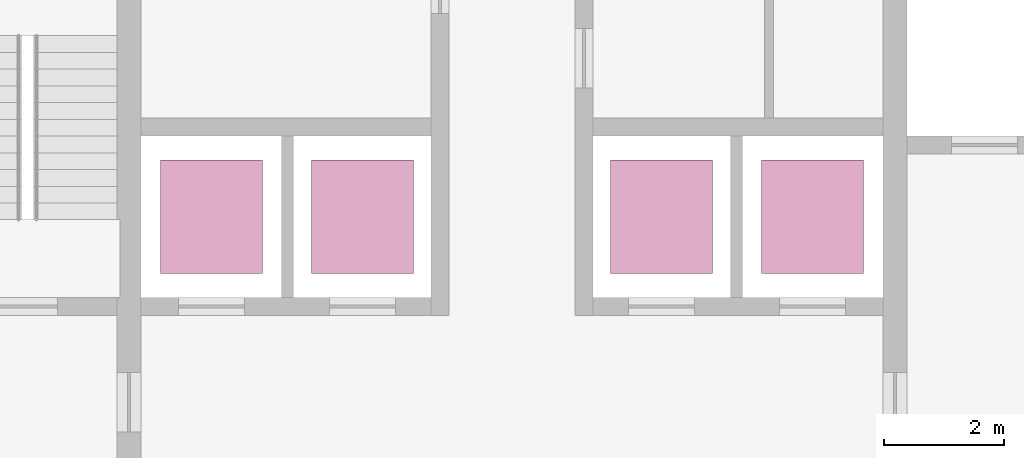
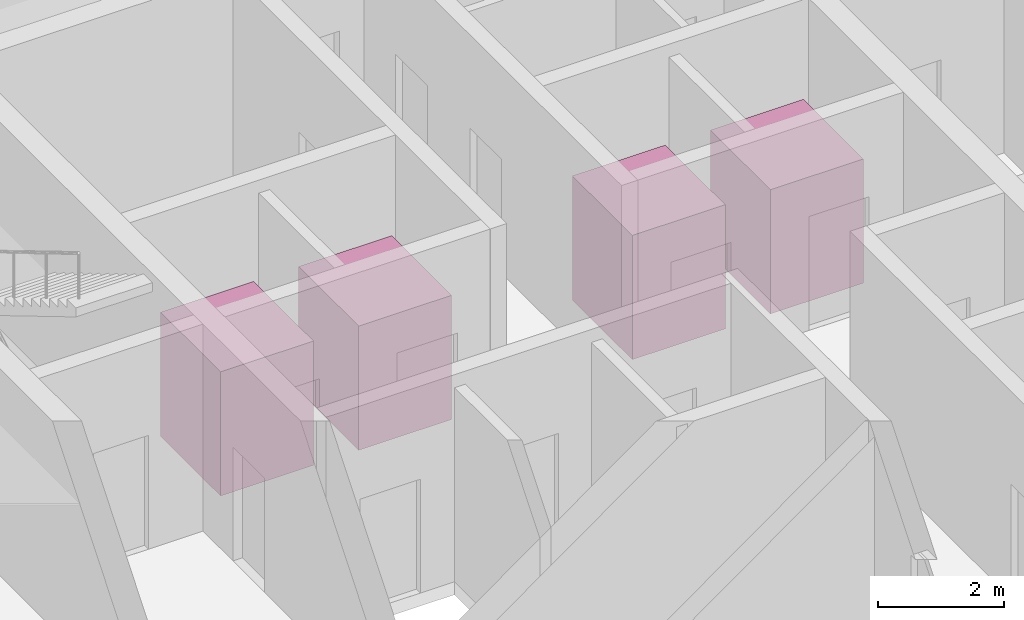
# One storey, part 23 of 23: 4 transport elements.
"""IFC4 building model written with IfcOpenShell, lengths in metres."""

from ifc_helpers import new_model, si_unit, direction, frame, origin, origin_2d, place, context, subcontext, project, spatial, rectangle, extrude, material, type_object, element, save


model = new_model("IFC4")

# Units and contexts
model_context = context("Model", 3, precision=1e-05, world=origin(), true_north=direction((0.0, 1.0)))
body_context = subcontext(model_context, "Body", "Model", "MODEL_VIEW")
ifc_project = project(units=[si_unit("LENGTHUNIT", "METRE"), si_unit("AREAUNIT", "SQUARE_METRE"), si_unit("VOLUMEUNIT", "CUBIC_METRE"), si_unit("PLANEANGLEUNIT", "RADIAN"), si_unit("MASSUNIT", "GRAM", prefix="KILO")], contexts=[model_context])

# Site, building, storey
site_placement = place(None, origin())
site = spatial("IfcSite", under=ifc_project, at=site_placement, CompositionType="ELEMENT")
building_placement = place(site_placement, origin())
building = spatial("IfcBuilding", under=site, at=building_placement, Name="Golbaran Civic Tower", CompositionType="ELEMENT")
storey_placement = place(building_placement, frame((0.0, 0.0, 220.0)))
storey = spatial("IfcBuildingStorey", under=building, at=storey_placement, Name="L53", CompositionType="ELEMENT", Elevation=220.0)

# Transport elements
ifc_material = material(Name="Steel car, stainless steel finish", Category="steel")
transport_element_type = type_object("IfcTransportElementType", Name="PASSENGER LIFT 1350 KG", PredefinedType="ELEVATOR", material=ifc_material)
for number, where, z_axis, x_axis, name in (
    (1, (-5.02490234375, 3.10009765625, 0.0), (0.0, 0.0, 1.0), (1.0, 0.0, 0.0), "Lift Z1T"),
    (2, (-2.5, 3.10009765625, 0.0), (0.0, 0.0, 1.0), (1.0, 0.0, 0.0), "Lift Z2T"),
    (3, (2.5, 3.10009765625, 0.0), (0.0, 0.0, 1.0), (1.0, 0.0, 0.0), "Lift Z3T"),
    (4, (5.02490234375, 3.10009765625, 0.0), (0.0, 0.0, 1.0), (1.0, 0.0, 0.0), "Lift Z4T"),
):
    element("IfcTransportElement", number, at=place(storey_placement, frame(where, z_axis=z_axis, x_axis=x_axis)), inside=storey, type_object=transport_element_type, Name=name, PredefinedType="ELEVATOR", context=body_context, shape_type="SweptSolid", body=[
        extrude(rectangle(XDim=1.699951171875, YDim=1.89990234375, at=origin_2d()), origin(), (0.0, 0.0, 1.0), 2.39990234375),
    ])

save(model, "model.ifc")
